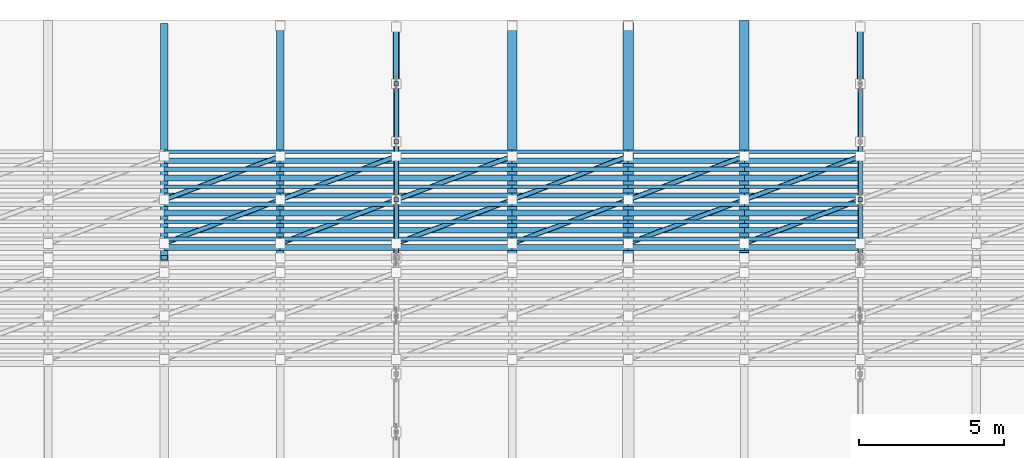
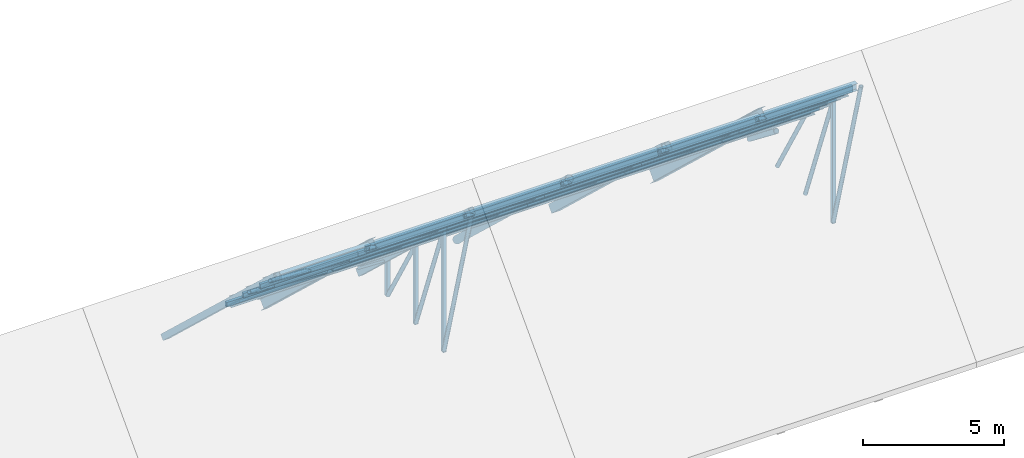
# One storey, part 10 of 18: 102 members.
"""IFC4 building model written with IfcOpenShell, lengths in metres."""

from ifc_helpers import new_model, si_unit, direction, frame, origin, origin_2d, place, context, subcontext, project, spatial, hollow_rectangle, hollow_circle, i_section, extrude, material, material_profile, profile_set, type_object, element, save


model = new_model("IFC4")

# Units and contexts
model_context = context("Model", 3, precision=1e-05, world=origin(), true_north=direction((0.0, 1.0)))
body_context = subcontext(model_context, "Body", "Model", "MODEL_VIEW")
ifc_project = project(units=[si_unit("LENGTHUNIT", "METRE"), si_unit("AREAUNIT", "SQUARE_METRE"), si_unit("VOLUMEUNIT", "CUBIC_METRE"), si_unit("PLANEANGLEUNIT", "RADIAN"), si_unit("MASSUNIT", "GRAM", prefix="KILO")], contexts=[model_context])

# Site, building, storey
site_placement = place(None, origin())
site = spatial("IfcSite", under=ifc_project, at=site_placement, CompositionType="ELEMENT")
building_placement = place(site_placement, origin())
building = spatial("IfcBuilding", under=site, at=building_placement, Name="Serraluz Foothill Cableway Terminal", CompositionType="ELEMENT")
storey_placement = place(building_placement, frame((0.0, 0.0, 24.300048828125)))
storey = spatial("IfcBuildingStorey", under=building, at=storey_placement, Name="RF", CompositionType="ELEMENT", Elevation=24.300048828125)

# Members
ifc_material_1 = material(Name="Steel ASTM A572 Grade 50", Category="steel")
ifc_material_profile_1 = material_profile(ifc_material_1, hollow_circle(Radius=0.084228515625, WallThickness=0.010009765625, at=origin_2d()), Name="CHS168X10")
ifc_profile_set_1 = profile_set([ifc_material_profile_1], Name="Steel ASTM A572 Grade 50")
member_type_1 = type_object("IfcMemberType", Name="TYP-BR-CHS168", PredefinedType="BRACE", material=ifc_profile_set_1)
member_1_placement = place(storey_placement, frame((104.0, 64.01611328125, 2.51220703125), z_axis=(0.0, 0.26797823219, -0.963424967017), x_axis=(-1.0, 0.0, 0.0)))
element("IfcMember", 1, at=member_1_placement, inside=storey, type_object=member_type_1, Name="ROOF TRUSS TR-05 Diagonal 5", PredefinedType="BRACE", context=body_context, shape_type="SweptSolid", body=[
    extrude(hollow_circle(Radius=0.084228515625, WallThickness=0.010009765625, at=origin_2d()), origin(), (0.0, 0.0, 1.0), 7.343017578125),
])
member_2_placement = place(storey_placement, frame((104.0, 66.02099609375, 0.638671875), z_axis=(0.0, 0.352230195063, -0.935913398604), x_axis=(-1.0, 0.0, 0.0)))
element("IfcMember", 2, at=member_2_placement, inside=storey, type_object=member_type_1, Name="ROOF TRUSS TR-05 Diagonal 6", PredefinedType="BRACE", context=body_context, shape_type="SweptSolid", body=[
    extrude(hollow_circle(Radius=0.084228515625, WallThickness=0.010009765625, at=origin_2d()), origin(), (0.0, 0.0, 1.0), 5.558837890625),
])
member_3_placement = place(storey_placement, frame((104.0, 68.0302734375, -1.23193359375), z_axis=(0.0, 0.502584169831, -0.864528283074), x_axis=(-1.0, 0.0, 0.0)))
element("IfcMember", 3, at=member_3_placement, inside=storey, type_object=member_type_1, Name="ROOF TRUSS TR-05 Diagonal 7", PredefinedType="BRACE", context=body_context, shape_type="SweptSolid", body=[
    extrude(hollow_circle(Radius=0.084228515625, WallThickness=0.010009765625, at=origin_2d()), origin(), (0.0, 0.0, 1.0), 3.85888671875),
])
member_4_placement = place(storey_placement, frame((120.0, 64.01611328125, 2.51220703125), z_axis=(0.0, 0.26797823219, -0.963424967017), x_axis=(-1.0, 0.0, 0.0)))
element("IfcMember", 4, at=member_4_placement, inside=storey, type_object=member_type_1, Name="ROOF TRUSS TR-06 Diagonal 5", PredefinedType="BRACE", context=body_context, shape_type="SweptSolid", body=[
    extrude(hollow_circle(Radius=0.084228515625, WallThickness=0.010009765625, at=origin_2d()), origin(), (0.0, 0.0, 1.0), 7.343017578125),
])
member_5_placement = place(storey_placement, frame((120.0, 66.02099609375, 0.638671875), z_axis=(0.0, 0.352230195063, -0.935913398604), x_axis=(-1.0, 0.0, 0.0)))
element("IfcMember", 5, at=member_5_placement, inside=storey, type_object=member_type_1, Name="ROOF TRUSS TR-06 Diagonal 6", PredefinedType="BRACE", context=body_context, shape_type="SweptSolid", body=[
    extrude(hollow_circle(Radius=0.084228515625, WallThickness=0.010009765625, at=origin_2d()), origin(), (0.0, 0.0, 1.0), 5.558837890625),
])
member_6_placement = place(storey_placement, frame((120.0, 68.0302734375, -1.23193359375), z_axis=(0.0, 0.502584169831, -0.864528283074), x_axis=(-1.0, 0.0, 0.0)))
element("IfcMember", 6, at=member_6_placement, inside=storey, type_object=member_type_1, Name="ROOF TRUSS TR-06 Diagonal 7", PredefinedType="BRACE", context=body_context, shape_type="SweptSolid", body=[
    extrude(hollow_circle(Radius=0.084228515625, WallThickness=0.010009765625, at=origin_2d()), origin(), (0.0, 0.0, 1.0), 3.85888671875),
])
for number, where, z_axis, x_axis, name in (
    (7, (96.0, 64.5, 2.171142578125), (0.889382269185, 0.333518350944, -0.31267345401), (-0.351123441588, 0.936329177569, 0.0), "Roof Lateral Wind Brace 0419"),
    (8, (96.0, 66.0, 0.764892578125), (0.889382269185, 0.333518350944, -0.31267345401), (-0.351123441588, 0.936329177569, 0.0), "Roof Lateral Wind Brace 0420"),
    (9, (100.0, 64.5, 2.171142578125), (0.889382269185, 0.333518350944, -0.31267345401), (-0.351123441588, 0.936329177569, 0.0), "Roof Lateral Wind Brace 0447"),
    (10, (100.0, 66.0, 0.764892578125), (0.889382269185, 0.333518350944, -0.31267345401), (-0.351123441588, 0.936329177569, 0.0), "Roof Lateral Wind Brace 0448"),
    (11, (104.0, 64.5, 2.171142578125), (0.889382269185, 0.333518350944, -0.31267345401), (-0.351123441588, 0.936329177569, 0.0), "Roof Lateral Wind Brace 0475"),
    (12, (104.0, 66.0, 0.764892578125), (0.889382269185, 0.333518350944, -0.31267345401), (-0.351123441588, 0.936329177569, 0.0), "Roof Lateral Wind Brace 0476"),
    (13, (108.0, 64.5, 2.171142578125), (0.889382269185, 0.333518350944, -0.31267345401), (-0.351123441588, 0.936329177569, 0.0), "Roof Lateral Wind Brace 0503"),
    (14, (108.0, 66.0, 0.764892578125), (0.889382269185, 0.333518350944, -0.31267345401), (-0.351123441588, 0.936329177569, 0.0), "Roof Lateral Wind Brace 0504"),
    (15, (112.0, 64.5, 2.171142578125), (0.889382269185, 0.333518350944, -0.31267345401), (-0.351123441588, 0.936329177569, 0.0), "Roof Lateral Wind Brace 0531"),
    (16, (112.0, 66.0, 0.764892578125), (0.889382269185, 0.333518350944, -0.31267345401), (-0.351123441588, 0.936329177569, 0.0), "Roof Lateral Wind Brace 0532"),
    (17, (116.0, 64.5, 2.171142578125), (0.889382269185, 0.333518350944, -0.31267345401), (-0.351123441588, 0.936329177569, 0.0), "Roof Lateral Wind Brace 0559"),
    (18, (116.0, 66.0, 0.764892578125), (0.889382269185, 0.333518350944, -0.31267345401), (-0.351123441588, 0.936329177569, 0.0), "Roof Lateral Wind Brace 0560"),
):
    element("IfcMember", number, at=place(storey_placement, frame(where, z_axis=z_axis, x_axis=x_axis)), inside=storey, type_object=member_type_1, Name=name, PredefinedType="BRACE", context=body_context, shape_type="SweptSolid", body=[
        extrude(hollow_circle(Radius=0.084228515625, WallThickness=0.010009765625, at=origin_2d()), origin(), (0.0, 0.0, 1.0), 4.49755859375),
    ])
ifc_material_profile_2 = material_profile(ifc_material_1, hollow_circle(Radius=0.109619140625, WallThickness=0.011962890625, at=origin_2d()), Name="CHS219X12")
ifc_profile_set_2 = profile_set([ifc_material_profile_2], Name="Steel ASTM A572 Grade 50")
member_type_2 = type_object("IfcMemberType", Name="TYP-BR-CHS219", PredefinedType="BRACE", material=ifc_profile_set_2)
for number, where, z_axis, x_axis, name in (
    (19, (104.0, 70.04736328125, -3.092041015625), (0.0, 0.787528424659, -0.616278330265), (-1.0, 0.0, 0.0), "ROOF TRUSS TR-05 Diagonal 8"),
    (20, (120.0, 70.04736328125, -3.092041015625), (0.0, 0.787528424659, -0.616278330265), (-1.0, 0.0, 0.0), "ROOF TRUSS TR-06 Diagonal 8"),
):
    element("IfcMember", number, at=place(storey_placement, frame(where, z_axis=z_axis, x_axis=x_axis)), inside=storey, type_object=member_type_2, Name=name, PredefinedType="BRACE", context=body_context, shape_type="SweptSolid", body=[
        extrude(hollow_circle(Radius=0.109619140625, WallThickness=0.011962890625, at=origin_2d()), origin(), (0.0, 0.0, 1.0), 2.419189453125),
    ])
ifc_material_profile_3 = material_profile(ifc_material_1, hollow_rectangle(XDim=0.14990234375, YDim=0.14990234375, WallThickness=0.010009765625, at=origin_2d()), Name="HSS150X150X10")
ifc_profile_set_3 = profile_set([ifc_material_profile_3], Name="Steel ASTM A572 Grade 50")
member_type_3 = type_object("IfcMemberType", Name="TYP-BR-HSS150", PredefinedType="BRACE", material=ifc_profile_set_3)
member_7_placement = place(storey_placement, frame((104.0, 66.0, -4.610107421875), z_axis=(0.0, 0.0, 1.0), x_axis=(1.0, 0.0, 0.0)))
element("IfcMember", 21, at=member_7_placement, inside=storey, type_object=member_type_3, Name="ROOF TRUSS TR-05 Web Post 5", PredefinedType="BRACE", context=body_context, shape_type="SweptSolid", body=[
    extrude(hollow_rectangle(XDim=0.14990234375, YDim=0.14990234375, WallThickness=0.010009765625, at=origin_2d()), origin(), (0.0, 0.0, 1.0), 5.295166015625),
])
member_8_placement = place(storey_placement, frame((104.0, 68.0, -4.610107421875), z_axis=(0.0, 0.0, 1.0), x_axis=(1.0, 0.0, 0.0)))
element("IfcMember", 22, at=member_8_placement, inside=storey, type_object=member_type_3, Name="ROOF TRUSS TR-05 Web Post 6", PredefinedType="BRACE", context=body_context, shape_type="SweptSolid", body=[
    extrude(hollow_rectangle(XDim=0.14990234375, YDim=0.14990234375, WallThickness=0.010009765625, at=origin_2d()), origin(), (0.0, 0.0, 1.0), 3.420166015625),
])
member_9_placement = place(storey_placement, frame((104.0, 70.0, -4.610107421875), z_axis=(0.0, 0.0, 1.0), x_axis=(1.0, 0.0, 0.0)))
element("IfcMember", 23, at=member_9_placement, inside=storey, type_object=member_type_3, Name="ROOF TRUSS TR-05 Web Post 7", PredefinedType="BRACE", context=body_context, shape_type="SweptSolid", body=[
    extrude(hollow_rectangle(XDim=0.14990234375, YDim=0.14990234375, WallThickness=0.010009765625, at=origin_2d()), origin(), (0.0, 0.0, 1.0), 1.545166015625),
])
member_10_placement = place(storey_placement, frame((120.0, 66.0, -4.610107421875), z_axis=(0.0, 0.0, 1.0), x_axis=(1.0, 0.0, 0.0)))
element("IfcMember", 24, at=member_10_placement, inside=storey, type_object=member_type_3, Name="ROOF TRUSS TR-06 Web Post 5", PredefinedType="BRACE", context=body_context, shape_type="SweptSolid", body=[
    extrude(hollow_rectangle(XDim=0.14990234375, YDim=0.14990234375, WallThickness=0.010009765625, at=origin_2d()), origin(), (0.0, 0.0, 1.0), 5.295166015625),
])
ifc_material_profile_4 = material_profile(ifc_material_1, hollow_rectangle(XDim=0.25, YDim=0.25, WallThickness=0.011962890625, at=origin_2d()), Name="HSS250X250X12")
ifc_profile_set_4 = profile_set([ifc_material_profile_4], Name="Steel ASTM A572 Grade 50")
member_type_4 = type_object("IfcMemberType", Name="TYP-CH-HSS250", PredefinedType="CHORD", material=ifc_profile_set_4)
member_11_placement = place(storey_placement, frame((96.0, 72.0, -4.800048828125), z_axis=(0.0, -0.72953720414, 0.683941128881), x_axis=(1.0, 0.0, 0.0)))
element("IfcMember", 25, at=member_11_placement, inside=storey, type_object=member_type_4, Name="Secondary Roof Rafter 0022", PredefinedType="CHORD", context=body_context, shape_type="SweptSolid", body=[
    extrude(hollow_rectangle(XDim=0.25, YDim=0.25, WallThickness=0.011962890625, at=origin_2d()), origin(), (0.0, 0.0, 1.0), 10.9658203125),
])
ifc_material_profile_5 = material_profile(ifc_material_1, hollow_rectangle(XDim=0.199951171875, YDim=0.300048828125, WallThickness=0.011962890625, at=origin_2d()), Name="HSS300X200X12")
ifc_profile_set_5 = profile_set([ifc_material_profile_5], Name="Steel ASTM A572 Grade 50")
member_type_5 = type_object("IfcMemberType", Name="TYP-CH-HSS300X200", PredefinedType="CHORD", material=ifc_profile_set_5)
member_12_placement = place(storey_placement, frame((104.0, 72.0, -4.800048828125), z_axis=(0.0, -0.72953720414, 0.683941128881), x_axis=(1.0, 0.0, 0.0)))
element("IfcMember", 26, at=member_12_placement, inside=storey, type_object=member_type_5, Name="ROOF TRUSS TR-05 Top Chord 2", PredefinedType="CHORD", context=body_context, shape_type="SweptSolid", body=[
    extrude(hollow_rectangle(XDim=0.199951171875, YDim=0.300048828125, WallThickness=0.011962890625, at=origin_2d()), origin(), (0.0, 0.0, 1.0), 10.9658203125),
])
ifc_material_2 = material(Name="Steel ASTM A992 Grade 50", Category="steel")
ifc_material_profile_6 = material_profile(ifc_material_2, i_section(OverallWidth=0.31201171875, OverallDepth=0.54296875, WebThickness=0.0126953125, FlangeThickness=0.020263671875, FilletRadius=0.01611328125, at=origin_2d()), Name="W21X101")
ifc_profile_set_6 = profile_set([ifc_material_profile_6], Name="Steel ASTM A992 Grade 50")
member_type_6 = type_object("IfcMemberType", Name="TYP-CH-W21X101", PredefinedType="CHORD", material=ifc_profile_set_6)
member_13_placement = place(storey_placement, frame((116.0, 72.0, -4.800048828125), z_axis=(0.0, -0.72953720414, 0.683941128881), x_axis=(1.0, 0.0, 0.0)))
element("IfcMember", 27, at=member_13_placement, inside=storey, type_object=member_type_6, Name="Secondary Roof Rafter 0030", PredefinedType="CHORD", context=body_context, shape_type="SweptSolid", body=[
    extrude(i_section(OverallWidth=0.31201171875, OverallDepth=0.54296875, WebThickness=0.0126953125, FlangeThickness=0.020263671875, FilletRadius=0.01611328125, at=origin_2d()), origin(), (0.0, 0.0, 1.0), 10.9658203125),
])
ifc_material_profile_7 = material_profile(ifc_material_1, hollow_rectangle(XDim=0.1201171875, YDim=0.199951171875, WallThickness=0.008056640625, at=origin_2d()), Name="HSS200X120X8")
ifc_profile_set_7 = profile_set([ifc_material_profile_7], Name="Steel ASTM A572 Grade 50")
member_type_7 = type_object("IfcMemberType", Name="TYP-PR-HSS200X120", PredefinedType="PURLIN", material=ifc_profile_set_7)
for number, where, z_axis, x_axis, name in (
    (28, (96.0, 65.25, 1.488037109375), (1.0, 0.0, 0.0), (0.0, 1.0, 0.0), "Secondary Roof Purlin 0408"),
    (29, (96.0, 66.449951171875, 0.363037109375), (1.0, 0.0, 0.0), (0.0, 1.0, 0.0), "Secondary Roof Purlin 0412"),
    (30, (96.0, 67.64990234375, -0.761962890625), (1.0, 0.0, 0.0), (0.0, 1.0, 0.0), "Secondary Roof Purlin 0416"),
    (31, (100.0, 65.25, 1.488037109375), (1.0, 0.0, 0.0), (0.0, 1.0, 0.0), "Secondary Roof Purlin 0436"),
    (32, (100.0, 66.449951171875, 0.363037109375), (1.0, 0.0, 0.0), (0.0, 1.0, 0.0), "Secondary Roof Purlin 0440"),
    (33, (100.0, 67.64990234375, -0.761962890625), (1.0, 0.0, 0.0), (0.0, 1.0, 0.0), "Secondary Roof Purlin 0444"),
    (34, (104.0, 65.25, 1.488037109375), (1.0, 0.0, 0.0), (0.0, 1.0, 0.0), "Secondary Roof Purlin 0464"),
    (35, (104.0, 66.449951171875, 0.363037109375), (1.0, 0.0, 0.0), (0.0, 1.0, 0.0), "Secondary Roof Purlin 0468"),
    (36, (104.0, 67.64990234375, -0.761962890625), (1.0, 0.0, 0.0), (0.0, 1.0, 0.0), "Secondary Roof Purlin 0472"),
    (37, (108.0, 65.25, 1.488037109375), (1.0, 0.0, 0.0), (0.0, 1.0, 0.0), "Secondary Roof Purlin 0492"),
    (38, (108.0, 66.449951171875, 0.363037109375), (1.0, 0.0, 0.0), (0.0, 1.0, 0.0), "Secondary Roof Purlin 0496"),
    (39, (108.0, 67.64990234375, -0.761962890625), (1.0, 0.0, 0.0), (0.0, 1.0, 0.0), "Secondary Roof Purlin 0500"),
    (40, (112.0, 65.25, 1.488037109375), (1.0, 0.0, 0.0), (0.0, 1.0, 0.0), "Secondary Roof Purlin 0520"),
    (41, (112.0, 66.449951171875, 0.363037109375), (1.0, 0.0, 0.0), (0.0, 1.0, 0.0), "Secondary Roof Purlin 0524"),
    (42, (112.0, 67.64990234375, -0.761962890625), (1.0, 0.0, 0.0), (0.0, 1.0, 0.0), "Secondary Roof Purlin 0528"),
    (43, (116.0, 65.25, 1.488037109375), (1.0, 0.0, 0.0), (0.0, 1.0, 0.0), "Secondary Roof Purlin 0548"),
    (44, (116.0, 66.449951171875, 0.363037109375), (1.0, 0.0, 0.0), (0.0, 1.0, 0.0), "Secondary Roof Purlin 0552"),
    (45, (116.0, 67.64990234375, -0.761962890625), (1.0, 0.0, 0.0), (0.0, 1.0, 0.0), "Secondary Roof Purlin 0556"),
):
    element("IfcMember", number, at=place(storey_placement, frame(where, z_axis=z_axis, x_axis=x_axis)), inside=storey, type_object=member_type_7, Name=name, PredefinedType="PURLIN", context=body_context, shape_type="SweptSolid", body=[
        extrude(hollow_rectangle(XDim=0.1201171875, YDim=0.199951171875, WallThickness=0.008056640625, at=origin_2d()), origin(), (0.0, 0.0, 1.0), 4.0),
    ])
ifc_material_profile_8 = material_profile(ifc_material_1, hollow_rectangle(XDim=0.14990234375, YDim=0.25, WallThickness=0.010009765625, at=origin_2d()), Name="HSS250X150X10")
ifc_profile_set_8 = profile_set([ifc_material_profile_8], Name="Steel ASTM A572 Grade 50")
member_type_8 = type_object("IfcMemberType", Name="TYP-PR-HSS250X150", PredefinedType="PURLIN", material=ifc_profile_set_8)
for number, where, z_axis, x_axis, name in (
    (46, (96.0, 64.64990234375, 2.050537109375), (1.0, 0.0, 0.0), (0.0, 1.0, 0.0), "Secondary Roof Purlin 0406"),
    (47, (96.0, 65.85009765625, 0.925537109375), (1.0, 0.0, 0.0), (0.0, 1.0, 0.0), "Secondary Roof Purlin 0410"),
    (48, (96.0, 67.050048828125, -0.199462890625), (1.0, 0.0, 0.0), (0.0, 1.0, 0.0), "Secondary Roof Purlin 0414"),
    (49, (100.0, 64.64990234375, 2.050537109375), (1.0, 0.0, 0.0), (0.0, 1.0, 0.0), "Secondary Roof Purlin 0434"),
    (50, (100.0, 65.85009765625, 0.925537109375), (1.0, 0.0, 0.0), (0.0, 1.0, 0.0), "Secondary Roof Purlin 0438"),
    (51, (100.0, 67.050048828125, -0.199462890625), (1.0, 0.0, 0.0), (0.0, 1.0, 0.0), "Secondary Roof Purlin 0442"),
    (52, (104.0, 64.64990234375, 2.050537109375), (1.0, 0.0, 0.0), (0.0, 1.0, 0.0), "Secondary Roof Purlin 0462"),
    (53, (104.0, 65.85009765625, 0.925537109375), (1.0, 0.0, 0.0), (0.0, 1.0, 0.0), "Secondary Roof Purlin 0466"),
    (54, (104.0, 67.050048828125, -0.199462890625), (1.0, 0.0, 0.0), (0.0, 1.0, 0.0), "Secondary Roof Purlin 0470"),
    (55, (108.0, 64.64990234375, 2.050537109375), (1.0, 0.0, 0.0), (0.0, 1.0, 0.0), "Secondary Roof Purlin 0490"),
    (56, (108.0, 65.85009765625, 0.925537109375), (1.0, 0.0, 0.0), (0.0, 1.0, 0.0), "Secondary Roof Purlin 0494"),
    (57, (108.0, 67.050048828125, -0.199462890625), (1.0, 0.0, 0.0), (0.0, 1.0, 0.0), "Secondary Roof Purlin 0498"),
    (58, (112.0, 64.64990234375, 2.050537109375), (1.0, 0.0, 0.0), (0.0, 1.0, 0.0), "Secondary Roof Purlin 0518"),
    (59, (112.0, 65.85009765625, 0.925537109375), (1.0, 0.0, 0.0), (0.0, 1.0, 0.0), "Secondary Roof Purlin 0522"),
    (60, (112.0, 67.050048828125, -0.199462890625), (1.0, 0.0, 0.0), (0.0, 1.0, 0.0), "Secondary Roof Purlin 0526"),
    (61, (116.0, 64.64990234375, 2.050537109375), (1.0, 0.0, 0.0), (0.0, 1.0, 0.0), "Secondary Roof Purlin 0546"),
    (62, (116.0, 65.85009765625, 0.925537109375), (1.0, 0.0, 0.0), (0.0, 1.0, 0.0), "Secondary Roof Purlin 0550"),
    (63, (116.0, 67.050048828125, -0.199462890625), (1.0, 0.0, 0.0), (0.0, 1.0, 0.0), "Secondary Roof Purlin 0554"),
):
    element("IfcMember", number, at=place(storey_placement, frame(where, z_axis=z_axis, x_axis=x_axis)), inside=storey, type_object=member_type_8, Name=name, PredefinedType="PURLIN", context=body_context, shape_type="SweptSolid", body=[
        extrude(hollow_rectangle(XDim=0.14990234375, YDim=0.25, WallThickness=0.010009765625, at=origin_2d()), origin(), (0.0, 0.0, 1.0), 4.0),
    ])
ifc_material_profile_9 = material_profile(ifc_material_2, i_section(OverallWidth=0.205078125, OverallDepth=0.31005859375, WebThickness=0.009521484375, FlangeThickness=0.016357421875, FilletRadius=0.012939453125, at=origin_2d()), Name="W12X50")
ifc_profile_set_9 = profile_set([ifc_material_profile_9], Name="Steel ASTM A992 Grade 50")
member_type_9 = type_object("IfcMemberType", Name="TYP-PR-W12X50", PredefinedType="PURLIN", material=ifc_profile_set_9)
for number, where, z_axis, x_axis, name in (
    (64, (96.0, 64.35009765625, 2.331787109375), (1.0, 0.0, 0.0), (0.0, 1.0, 0.0), "Secondary Roof Purlin 0405"),
    (65, (96.0, 65.550048828125, 1.206787109375), (1.0, 0.0, 0.0), (0.0, 1.0, 0.0), "Secondary Roof Purlin 0409"),
    (66, (96.0, 66.75, 0.081787109375), (1.0, 0.0, 0.0), (0.0, 1.0, 0.0), "Secondary Roof Purlin 0413"),
    (67, (100.0, 64.35009765625, 2.331787109375), (1.0, 0.0, 0.0), (0.0, 1.0, 0.0), "Secondary Roof Purlin 0433"),
    (68, (100.0, 65.550048828125, 1.206787109375), (1.0, 0.0, 0.0), (0.0, 1.0, 0.0), "Secondary Roof Purlin 0437"),
    (69, (100.0, 66.75, 0.081787109375), (1.0, 0.0, 0.0), (0.0, 1.0, 0.0), "Secondary Roof Purlin 0441"),
    (70, (104.0, 64.35009765625, 2.331787109375), (1.0, 0.0, 0.0), (0.0, 1.0, 0.0), "Secondary Roof Purlin 0461"),
    (71, (104.0, 65.550048828125, 1.206787109375), (1.0, 0.0, 0.0), (0.0, 1.0, 0.0), "Secondary Roof Purlin 0465"),
    (72, (104.0, 66.75, 0.081787109375), (1.0, 0.0, 0.0), (0.0, 1.0, 0.0), "Secondary Roof Purlin 0469"),
    (73, (108.0, 64.35009765625, 2.331787109375), (1.0, 0.0, 0.0), (0.0, 1.0, 0.0), "Secondary Roof Purlin 0489"),
    (74, (108.0, 65.550048828125, 1.206787109375), (1.0, 0.0, 0.0), (0.0, 1.0, 0.0), "Secondary Roof Purlin 0493"),
    (75, (108.0, 66.75, 0.081787109375), (1.0, 0.0, 0.0), (0.0, 1.0, 0.0), "Secondary Roof Purlin 0497"),
    (76, (112.0, 64.35009765625, 2.331787109375), (1.0, 0.0, 0.0), (0.0, 1.0, 0.0), "Secondary Roof Purlin 0517"),
    (77, (112.0, 65.550048828125, 1.206787109375), (1.0, 0.0, 0.0), (0.0, 1.0, 0.0), "Secondary Roof Purlin 0521"),
    (78, (112.0, 66.75, 0.081787109375), (1.0, 0.0, 0.0), (0.0, 1.0, 0.0), "Secondary Roof Purlin 0525"),
    (79, (116.0, 64.35009765625, 2.331787109375), (1.0, 0.0, 0.0), (0.0, 1.0, 0.0), "Secondary Roof Purlin 0545"),
    (80, (116.0, 65.550048828125, 1.206787109375), (1.0, 0.0, 0.0), (0.0, 1.0, 0.0), "Secondary Roof Purlin 0549"),
    (81, (116.0, 66.75, 0.081787109375), (1.0, 0.0, 0.0), (0.0, 1.0, 0.0), "Secondary Roof Purlin 0553"),
):
    element("IfcMember", number, at=place(storey_placement, frame(where, z_axis=z_axis, x_axis=x_axis)), inside=storey, type_object=member_type_9, Name=name, PredefinedType="PURLIN", context=body_context, shape_type="SweptSolid", body=[
        extrude(i_section(OverallWidth=0.205078125, OverallDepth=0.31005859375, WebThickness=0.009521484375, FlangeThickness=0.016357421875, FilletRadius=0.012939453125, at=origin_2d()), origin(), (0.0, 0.0, 1.0), 4.0),
    ])
ifc_material_profile_10 = material_profile(ifc_material_2, i_section(OverallWidth=0.180908203125, OverallDepth=0.4169921875, WebThickness=0.010986328125, FlangeThickness=0.018310546875, FilletRadius=0.013916015625, at=origin_2d()), Name="W16X57")
ifc_profile_set_10 = profile_set([ifc_material_profile_10], Name="Steel ASTM A992 Grade 50")
member_type_10 = type_object("IfcMemberType", Name="TYP-PR-W16X57", PredefinedType="PURLIN", material=ifc_profile_set_10)
for number, where, z_axis, x_axis, name in (
    (82, (96.0, 64.949951171875, 1.769287109375), (1.0, 0.0, 0.0), (0.0, 1.0, 0.0), "Secondary Roof Purlin 0407"),
    (83, (96.0, 66.14990234375, 0.644287109375), (1.0, 0.0, 0.0), (0.0, 1.0, 0.0), "Secondary Roof Purlin 0411"),
    (84, (96.0, 67.35009765625, -0.480712890625), (1.0, 0.0, 0.0), (0.0, 1.0, 0.0), "Secondary Roof Purlin 0415"),
    (85, (100.0, 64.949951171875, 1.769287109375), (1.0, 0.0, 0.0), (0.0, 1.0, 0.0), "Secondary Roof Purlin 0435"),
    (86, (100.0, 66.14990234375, 0.644287109375), (1.0, 0.0, 0.0), (0.0, 1.0, 0.0), "Secondary Roof Purlin 0439"),
    (87, (100.0, 67.35009765625, -0.480712890625), (1.0, 0.0, 0.0), (0.0, 1.0, 0.0), "Secondary Roof Purlin 0443"),
    (88, (104.0, 64.949951171875, 1.769287109375), (1.0, 0.0, 0.0), (0.0, 1.0, 0.0), "Secondary Roof Purlin 0463"),
    (89, (104.0, 66.14990234375, 0.644287109375), (1.0, 0.0, 0.0), (0.0, 1.0, 0.0), "Secondary Roof Purlin 0467"),
    (90, (104.0, 67.35009765625, -0.480712890625), (1.0, 0.0, 0.0), (0.0, 1.0, 0.0), "Secondary Roof Purlin 0471"),
    (91, (108.0, 64.949951171875, 1.769287109375), (1.0, 0.0, 0.0), (0.0, 1.0, 0.0), "Secondary Roof Purlin 0491"),
    (92, (108.0, 66.14990234375, 0.644287109375), (1.0, 0.0, 0.0), (0.0, 1.0, 0.0), "Secondary Roof Purlin 0495"),
    (93, (108.0, 67.35009765625, -0.480712890625), (1.0, 0.0, 0.0), (0.0, 1.0, 0.0), "Secondary Roof Purlin 0499"),
    (94, (112.0, 64.949951171875, 1.769287109375), (1.0, 0.0, 0.0), (0.0, 1.0, 0.0), "Secondary Roof Purlin 0519"),
    (95, (112.0, 66.14990234375, 0.644287109375), (1.0, 0.0, 0.0), (0.0, 1.0, 0.0), "Secondary Roof Purlin 0523"),
    (96, (112.0, 67.35009765625, -0.480712890625), (1.0, 0.0, 0.0), (0.0, 1.0, 0.0), "Secondary Roof Purlin 0527"),
    (97, (116.0, 64.949951171875, 1.769287109375), (1.0, 0.0, 0.0), (0.0, 1.0, 0.0), "Secondary Roof Purlin 0547"),
    (98, (116.0, 66.14990234375, 0.644287109375), (1.0, 0.0, 0.0), (0.0, 1.0, 0.0), "Secondary Roof Purlin 0551"),
    (99, (116.0, 67.35009765625, -0.480712890625), (1.0, 0.0, 0.0), (0.0, 1.0, 0.0), "Secondary Roof Purlin 0555"),
):
    element("IfcMember", number, at=place(storey_placement, frame(where, z_axis=z_axis, x_axis=x_axis)), inside=storey, type_object=member_type_10, Name=name, PredefinedType="PURLIN", context=body_context, shape_type="SweptSolid", body=[
        extrude(i_section(OverallWidth=0.180908203125, OverallDepth=0.4169921875, WebThickness=0.010986328125, FlangeThickness=0.018310546875, FilletRadius=0.013916015625, at=origin_2d()), origin(), (0.0, 0.0, 1.0), 4.0),
    ])
ifc_material_profile_11 = material_profile(ifc_material_1, hollow_circle(Radius=0.161865234375, WallThickness=0.01611328125, at=origin_2d()), Name="CHS324X16")
ifc_profile_set_11 = profile_set([ifc_material_profile_11], Name="Steel ASTM A572 Grade 50")
member_type_11 = type_object("IfcMemberType", Name="TYP-ST-CHS324", PredefinedType="STRUT", material=ifc_profile_set_11)
member_14_placement = place(storey_placement, frame((108.0, 72.0, -4.800048828125), z_axis=(0.0, -0.72953720414, 0.683941128881), x_axis=(1.0, 0.0, 0.0)))
element("IfcMember", 100, at=member_14_placement, inside=storey, type_object=member_type_11, Name="Secondary Roof Rafter 0026", PredefinedType="STRUT", context=body_context, shape_type="SweptSolid", body=[
    extrude(hollow_circle(Radius=0.161865234375, WallThickness=0.01611328125, at=origin_2d()), origin(), (0.0, 0.0, 1.0), 10.9658203125),
])
ifc_material_profile_12 = material_profile(ifc_material_1, hollow_rectangle(XDim=0.35009765625, YDim=0.35009765625, WallThickness=0.01611328125, at=origin_2d()), Name="HSS350X350X16")
ifc_profile_set_12 = profile_set([ifc_material_profile_12], Name="Steel ASTM A572 Grade 50")
member_type_12 = type_object("IfcMemberType", Name="TYP-ST-HSS350", PredefinedType="STRUT", material=ifc_profile_set_12)
member_15_placement = place(storey_placement, frame((112.0, 72.0, -4.800048828125), z_axis=(0.0, -0.72953720414, 0.683941128881), x_axis=(1.0, 0.0, 0.0)))
element("IfcMember", 101, at=member_15_placement, inside=storey, type_object=member_type_12, Name="Secondary Roof Rafter 0028", PredefinedType="STRUT", context=body_context, shape_type="SweptSolid", body=[
    extrude(hollow_rectangle(XDim=0.35009765625, YDim=0.35009765625, WallThickness=0.01611328125, at=origin_2d()), origin(), (0.0, 0.0, 1.0), 10.9658203125),
])
ifc_material_profile_13 = material_profile(ifc_material_2, i_section(OverallWidth=0.260009765625, OverallDepth=0.4189453125, WebThickness=0.01171875, FlangeThickness=0.019287109375, FilletRadius=0.013916015625, at=origin_2d()), Name="W16X77")
ifc_profile_set_13 = profile_set([ifc_material_profile_13], Name="Steel ASTM A992 Grade 50")
member_type_13 = type_object("IfcMemberType", Name="TYP-ST-W16X77", PredefinedType="STRUT", material=ifc_profile_set_13)
member_16_placement = place(storey_placement, frame((100.0, 72.0, -4.800048828125), z_axis=(0.0, -0.72953720414, 0.683941128881), x_axis=(1.0, 0.0, 0.0)))
element("IfcMember", 102, at=member_16_placement, inside=storey, type_object=member_type_13, Name="Secondary Roof Rafter 0024", PredefinedType="STRUT", context=body_context, shape_type="SweptSolid", body=[
    extrude(i_section(OverallWidth=0.260009765625, OverallDepth=0.4189453125, WebThickness=0.01171875, FlangeThickness=0.019287109375, FilletRadius=0.013916015625, at=origin_2d()), origin(), (0.0, 0.0, 1.0), 10.9658203125),
])

save(model, "model.ifc")
